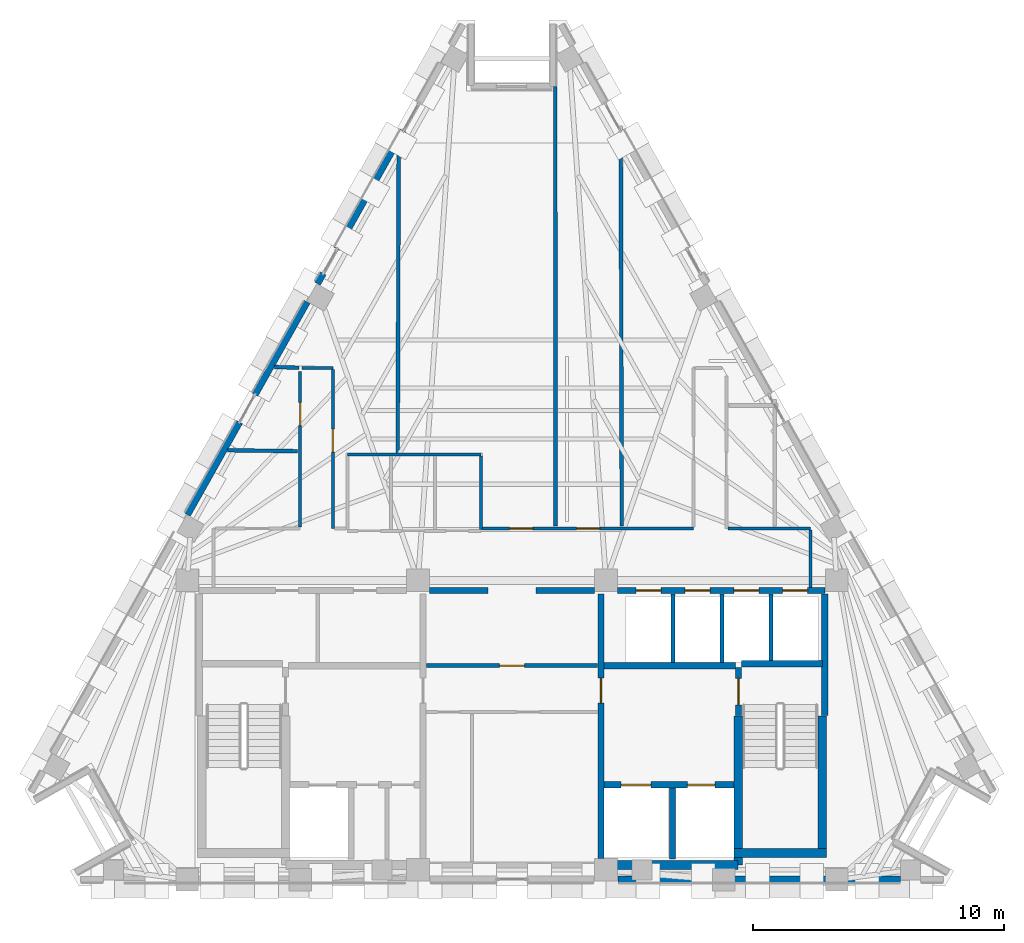
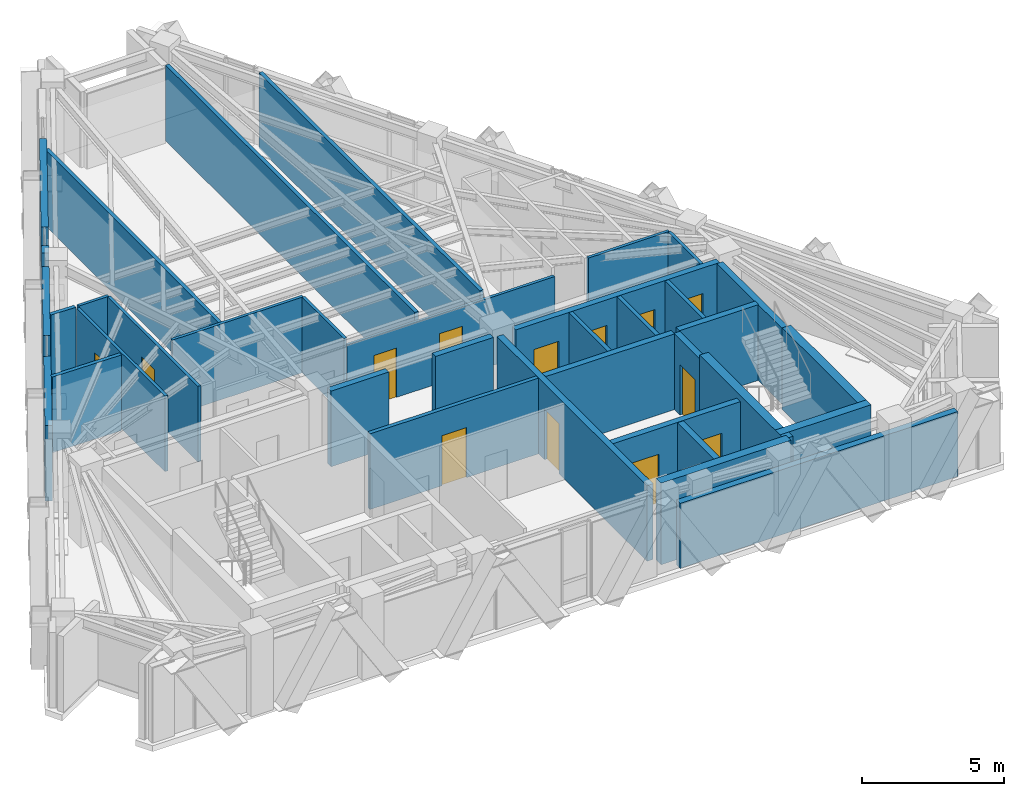
# One storey, part 6 of 9: 36 walls, 13 doors, 13 openings.
"""IFC4 building model written with IfcOpenShell, lengths in metres."""

from ifc_helpers import new_model, si_unit, direction, frame, frame_2d, origin, place, context, subcontext, project, spatial, rectangle, extrude, material, layer, layer_set, type_object, element, fill, save


model = new_model("IFC4")

# Units and contexts
model_context = context("Model", 3, precision=1e-05, world=origin(), true_north=direction((0.0, 1.0)))
body_context = subcontext(model_context, "Body", "Model", "MODEL_VIEW")
ifc_project = project(units=[si_unit("LENGTHUNIT", "METRE"), si_unit("AREAUNIT", "SQUARE_METRE"), si_unit("VOLUMEUNIT", "CUBIC_METRE"), si_unit("PLANEANGLEUNIT", "RADIAN"), si_unit("MASSUNIT", "GRAM", prefix="KILO")], contexts=[model_context])

# Site, building, storey
site_placement = place(None, origin())
site = spatial("IfcSite", under=ifc_project, at=site_placement, CompositionType="ELEMENT")
building_placement = place(site_placement, origin())
building = spatial("IfcBuilding", under=site, at=building_placement, Name="Quenlor Broadcast Tower", CompositionType="ELEMENT")
storey_placement = place(building_placement, frame((0.0, 0.0, 235.89990234375)))
storey = spatial("IfcBuildingStorey", under=building, at=storey_placement, Name="L65", CompositionType="ELEMENT", Elevation=235.89990234375)

# Walls
ifc_material_1 = material(Name="Acoustic Double Stud Gypsum Partition", Category="other")
ifc_layer_1 = layer(ifc_material_1, 0.14990234375)
ifc_layer_set_1 = layer_set([ifc_layer_1], Name="Broadcast Studio Acoustic Partition 150")
wall_type_1 = type_object("IfcWallType", Name="Broadcast Studio Acoustic Partition 150", PredefinedType="PARTITIONING", material=ifc_layer_set_1)
wall_1_placement = place(storey_placement, frame((1.728759765625, 14.89794921875, 0.0), z_axis=(0.0, 0.0, 1.0), x_axis=(0.000334476108, -0.999999944063, 0.0)))
element("IfcWall", 1, at=wall_1_placement, inside=storey, type_object=wall_type_1, Name="L65 Interior Wall PW-DV-01", PredefinedType="PARTITIONING", context=body_context, shape_type="SweptSolid", body=[
    extrude(rectangle(XDim=17.51806640625, YDim=0.14990234375, at=frame_2d((8.759033203125, 0.0))), origin(), (0.0, 0.0, 1.0), 3.25),
])
wall_2_placement = place(storey_placement, frame((-4.559814453125, 0.2919921875, 0.0), z_axis=(0.0, 0.0, 1.0), x_axis=(0.003171231411, 0.999994971633, 0.0)))
element("IfcWall", 2, at=wall_2_placement, inside=storey, type_object=wall_type_1, Name="L65 Interior Wall PW-DV-02", PredefinedType="PARTITIONING", context=body_context, shape_type="SweptSolid", body=[
    extrude(rectangle(XDim=12.24072265625, YDim=0.14990234375, at=frame_2d((6.120361328125, 0.0))), origin(), (0.0, 0.0, 1.0), 3.25),
])
wall_3_placement = place(storey_placement, frame((4.3408203125, 12.85302734375, 0.0), z_axis=(0.0, 0.0, 1.0), x_axis=(0.002508749087, -0.999996853084, 0.0)))
element("IfcWall", 3, at=wall_3_placement, inside=storey, type_object=wall_type_1, Name="L65 Interior Wall PW-DV-03S2", PredefinedType="PARTITIONING", context=body_context, shape_type="SweptSolid", body=[
    extrude(rectangle(XDim=15.47314453125, YDim=0.14990234375, at=frame_2d((7.736572265625, 0.0))), origin(), (0.0, 0.0, 1.0), 3.25),
])
wall_4_placement = place(storey_placement, frame((-8.495849609375, 3.685302734375, 0.0), z_axis=(0.0, 0.0, 1.0), x_axis=(-0.99954299591, 0.030229113907, 0.0)))
element("IfcWall", 4, at=wall_4_placement, inside=storey, type_object=wall_type_1, Name="L65 Interior Wall PW-DV-04", PredefinedType="PARTITIONING", context=body_context, shape_type="SweptSolid", body=[
    extrude(rectangle(XDim=0.9853515625, YDim=0.14990234375, at=frame_2d((0.49267578125, 0.0))), origin(), (0.0, 0.0, 1.0), 3.25),
])
wall_5_placement = place(storey_placement, frame((-8.56005859375, 0.356689453125, 0.0), z_axis=(0.0, 0.0, 1.0), x_axis=(-0.999917251082, 0.012864330116, 0.0)))
element("IfcWall", 5, at=wall_5_placement, inside=storey, type_object=wall_type_1, Name="L65 Interior Wall PW-DV-06", PredefinedType="PARTITIONING", context=body_context, shape_type="SweptSolid", body=[
    extrude(rectangle(XDim=2.789794921875, YDim=0.14990234375, at=frame_2d((1.39501953125, 0.0))), origin(), (0.0, 0.0, 1.0), 3.25),
])
ifc_material_2 = material(Name="Concrete C50/60", Category="concrete")
ifc_layer_2 = layer(ifc_material_2, 0.35009765625)
ifc_layer_set_2 = layer_set([ifc_layer_2], Name="Core Concrete C50/60 Shear Wall 350")
wall_type_2 = type_object("IfcWallType", Name="Core Concrete C50/60 Shear Wall 350", PredefinedType="SHEAR", material=ifc_layer_set_2)
wall_6_placement = place(storey_placement, frame((3.75, -16.14990234375, 0.0), z_axis=(0.0, 0.0, 1.0), x_axis=(1.0, 0.0, 0.0)))
element("IfcWall", 6, at=wall_6_placement, inside=storey, type_object=wall_type_2, Name="L65 Core Shear Wall WS-E1", PredefinedType="SHEAR", context=body_context, shape_type="SweptSolid", body=[
    extrude(rectangle(XDim=5.27490234375, YDim=0.35009765625, at=frame_2d((2.637451171875, 0.0))), origin(), (0.0, 0.0, 1.0), 3.5),
])
wall_7_placement = place(storey_placement, frame((8.85009765625, -15.675048828125, 0.0), z_axis=(0.0, 0.0, 1.0), x_axis=(1.0, 0.0, 0.0)))
element("IfcWall", 7, at=wall_7_placement, inside=storey, type_object=wall_type_2, Name="L65 Core Shear Wall WS-E2", PredefinedType="SHEAR", context=body_context, shape_type="SweptSolid", body=[
    extrude(rectangle(XDim=3.699951171875, YDim=0.35009765625, at=frame_2d((1.85009765625, 0.0))), origin(), (0.0, 0.0, 1.0), 3.5),
])
wall_8_placement = place(storey_placement, frame((12.375, -15.675048828125, 0.0), z_axis=(0.0, 0.0, 1.0), x_axis=(0.0, 1.0, 0.0)))
element("IfcWall", 8, at=wall_8_placement, inside=storey, type_object=wall_type_2, Name="L65 Core Shear Wall WF-E", PredefinedType="SHEAR", context=body_context, shape_type="SweptSolid", body=[
    extrude(rectangle(XDim=5.47509765625, YDim=0.35009765625, at=frame_2d((2.737548828125, 0.0))), origin(), (0.0, 0.0, 1.0), 3.5),
])
wall_9_placement = place(storey_placement, frame((9.02490234375, -16.14990234375, 0.0), z_axis=(0.0, 0.0, 1.0), x_axis=(0.0, 1.0, 0.0)))
element("IfcWall", 9, at=wall_9_placement, inside=storey, type_object=wall_type_2, Name="L65 Core Shear Wall WI-E", PredefinedType="SHEAR", context=body_context, shape_type="SweptSolid", body=[
    extrude(rectangle(XDim=5.949951171875, YDim=0.35009765625, at=frame_2d((2.97509765625, 0.0))), origin(), (0.0, 0.0, 1.0), 3.5),
])

# Wall, opening, door
ifc_material_3 = material(Name="Concrete C40/50", Category="concrete")
ifc_layer_3 = layer(ifc_material_3, 0.25)
ifc_layer_set_3 = layer_set([ifc_layer_3], Name="Fire Rated Concrete C40/50 Core Wall 250")
wall_type_3 = type_object("IfcWallType", Name="Fire Rated Concrete C40/50 Core Wall 250", PredefinedType="PARTITIONING", material=ifc_layer_set_3)
wall_10_placement = place(storey_placement, frame((9.0400390625, -10.179931640625, 0.0), z_axis=(0.0, 0.0, 1.0), x_axis=(0.0, 1.0, 0.0)))
wall_10 = element("IfcWall", 10, at=wall_10_placement, inside=storey, type_object=wall_type_3, Name="L65 Interior Wall CW-ST2-DR", PredefinedType="PARTITIONING", context=body_context, shape_type="SweptSolid", body=[
    extrude(rectangle(XDim=1.89990234375, YDim=0.25, at=frame_2d((0.949951171875, 0.0))), origin(), (0.0, 0.0, 1.0), 3.25),
])
opening_1_placement = place(wall_10_placement, frame((0.419921875, 0.0, 0.0)))
opening_1 = element("IfcOpeningElement", 11, at=opening_1_placement, cuts=wall_10, Name="Opening FD-1", PredefinedType="OPENING", context=body_context, shape_type="SweptSolid", body=[
    extrude(rectangle(XDim=1.050048828125, YDim=2.14990234375, at=frame_2d((0.52490234375, 1.074951171875))), frame((0.0, 0.135009765625, 0.0), z_axis=(0.0, -1.0, 0.0), x_axis=(1.0, 0.0, 0.0)), (0.0, 0.0, 1.0), 0.27001953125),
])
ifc_material_4 = material(Name="Fire Rated Steel Door Leaf", Category="steel")
door_type_1 = type_object("IfcDoorType", Name="Fire Isolated Stair Door 1050x2150", OperationType="NOTDEFINED", PredefinedType="DOOR", material=ifc_material_4)
door_1_placement = place(opening_1_placement, origin())
door_1 = element("IfcDoor", 12, at=door_1_placement, inside=storey, type_object=door_type_1, Name="L65 Door DR-ST2", OperationType="SINGLE_SWING_RIGHT", OverallHeight=2.14990234375, OverallWidth=1.050048828125, PredefinedType="DOOR", context=body_context, shape_type="SweptSolid", body=[
    extrude(rectangle(XDim=1.050048828125, YDim=2.14990234375, at=frame_2d((0.52490234375, 1.074951171875))), frame((0.0, 0.02490234375, 0.0), z_axis=(0.0, -1.0, 0.0), x_axis=(1.0, 0.0, 0.0)), (0.0, 0.0, 1.0), 0.050048828125),
])
fill(opening_1, door_1)

# Walls
wall_11_placement = place(storey_placement, frame((9.159912109375, -8.1201171875, 0.0), z_axis=(0.0, 0.0, 1.0), x_axis=(1.0, 0.0, 0.0)))
element("IfcWall", 13, at=wall_11_placement, inside=storey, type_object=wall_type_3, Name="L65 Interior Wall CW-ST2-N", PredefinedType="PARTITIONING", context=body_context, shape_type="SweptSolid", body=[
    extrude(rectangle(XDim=3.219970703125, YDim=0.25, at=frame_2d((1.60986328125, 0.0))), origin(), (0.0, 0.0, 1.0), 3.25),
])
wall_12_placement = place(storey_placement, frame((12.47998046875, -10.179931640625, 0.0), z_axis=(0.0, 0.0, 1.0), x_axis=(0.0, 1.0, 0.0)))
element("IfcWall", 14, at=wall_12_placement, inside=storey, type_object=wall_type_3, Name="L65 Interior Wall CW-ST2-E2", PredefinedType="PARTITIONING", context=body_context, shape_type="SweptSolid", body=[
    extrude(rectangle(XDim=4.83984375, YDim=0.25, at=frame_2d((2.419921875, 0.0))), origin(), (0.0, 0.0, 1.0), 3.25),
])

# Wall, openings, doors
wall_13_placement = place(storey_placement, frame((3.679931640625, -12.949951171875, 0.0), z_axis=(0.0, 0.0, 1.0), x_axis=(1.0, 0.0, 0.0)))
wall_13 = element("IfcWall", 15, at=wall_13_placement, inside=storey, type_object=wall_type_3, Name="L65 Interior Wall CW-FFE-S", PredefinedType="PARTITIONING", context=body_context, shape_type="SweptSolid", body=[
    extrude(rectangle(XDim=5.16796875, YDim=0.25, at=frame_2d((2.583984375, 0.0))), origin(), (0.0, 0.0, 1.0), 3.25),
])
opening_2_placement = place(wall_13_placement, frame((3.320068359375, 0.0, 0.0)))
opening_2 = element("IfcOpeningElement", 16, at=opening_2_placement, cuts=wall_13, Name="Opening LD-FFL-2", PredefinedType="OPENING", context=body_context, shape_type="SweptSolid", body=[
    extrude(rectangle(XDim=1.10009765625, YDim=2.14990234375, at=frame_2d((0.550048828125, 1.074951171875))), frame((0.0, 0.135009765625, 0.0), z_axis=(0.0, -1.0, 0.0), x_axis=(1.0, 0.0, 0.0)), (0.0, 0.0, 1.0), 0.27001953125),
])
opening_3_placement = place(wall_13_placement, frame((0.669921875, 0.0, 0.0)))
opening_3 = element("IfcOpeningElement", 17, at=opening_3_placement, cuts=wall_13, Name="Opening LD-SVL-1", PredefinedType="OPENING", context=body_context, shape_type="SweptSolid", body=[
    extrude(rectangle(XDim=1.199951171875, YDim=2.14990234375, at=frame_2d((0.60009765625, 1.074951171875))), frame((0.0, 0.135009765625, 0.0), z_axis=(0.0, -1.0, 0.0), x_axis=(1.0, 0.0, 0.0)), (0.0, 0.0, 1.0), 0.27001953125),
])
ifc_material_5 = material(Name="Brushed Stainless Steel", Category="steel")
door_type_2 = type_object("IfcDoorType", Name="Emergency Lift Sliding Landing Door 1100x2150", OperationType="NOTDEFINED", PredefinedType="DOOR", material=ifc_material_5)
door_2_placement = place(opening_2_placement, origin())
door_2 = element("IfcDoor", 18, at=door_2_placement, inside=storey, type_object=door_type_2, Name="L65 Door LD-FFL-2", OperationType="SLIDING_TO_RIGHT", OverallHeight=2.14990234375, OverallWidth=1.10009765625, PredefinedType="DOOR", context=body_context, shape_type="SweptSolid", body=[
    extrude(rectangle(XDim=1.10009765625, YDim=2.14990234375, at=frame_2d((0.550048828125, 1.074951171875))), frame((0.0, 0.02490234375, 0.0), z_axis=(0.0, -1.0, 0.0), x_axis=(1.0, 0.0, 0.0)), (0.0, 0.0, 1.0), 0.050048828125),
])
fill(opening_2, door_2)
ifc_material_6 = material(Name="Brushed Stainless Steel", Category="steel")
door_type_3 = type_object("IfcDoorType", Name="Goods Lift Sliding Landing Door 1200x2150", OperationType="NOTDEFINED", PredefinedType="DOOR", material=ifc_material_6)
door_3_placement = place(opening_3_placement, origin())
door_3 = element("IfcDoor", 19, at=door_3_placement, inside=storey, type_object=door_type_3, Name="L65 Door LD-SVL-1", OperationType="SLIDING_TO_LEFT", OverallHeight=2.14990234375, OverallWidth=1.199951171875, PredefinedType="DOOR", context=body_context, shape_type="SweptSolid", body=[
    extrude(rectangle(XDim=1.199951171875, YDim=2.14990234375, at=frame_2d((0.60009765625, 1.074951171875))), frame((0.0, 0.02490234375, 0.0), z_axis=(0.0, -1.0, 0.0), x_axis=(1.0, 0.0, 0.0)), (0.0, 0.0, 1.0), 0.050048828125),
])
fill(opening_3, door_3)

# Walls
wall_14_placement = place(storey_placement, frame((6.39990234375, -15.919921875, 0.0), z_axis=(0.0, 0.0, 1.0), x_axis=(0.0, 1.0, 0.0)))
element("IfcWall", 20, at=wall_14_placement, inside=storey, type_object=wall_type_3, Name="L65 Interior Wall CW-SV1-E", PredefinedType="PARTITIONING", context=body_context, shape_type="SweptSolid", body=[
    extrude(rectangle(XDim=2.829833984375, YDim=0.25, at=frame_2d((1.4150390625, 0.0))), origin(), (0.0, 0.0, 1.0), 3.25),
])
wall_15_placement = place(storey_placement, frame((3.679931640625, -8.199951171875, 0.0), z_axis=(0.0, 0.0, 1.0), x_axis=(1.0, 0.0, 0.0)))
element("IfcWall", 21, at=wall_15_placement, inside=storey, type_object=wall_type_3, Name="L65 Interior Wall CW-FFE-N", PredefinedType="PARTITIONING", context=body_context, shape_type="SweptSolid", body=[
    extrude(rectangle(XDim=5.239990234375, YDim=0.25, at=frame_2d((2.6201171875, 0.0))), origin(), (0.0, 0.0, 1.0), 3.25),
])

# Wall, opening, door
wall_16_placement = place(storey_placement, frame((3.550048828125, -15.89794921875, 0.0), z_axis=(0.0, 0.0, 1.0), x_axis=(0.0, 1.0, 0.0)))
wall_16 = element("IfcWall", 22, at=wall_16_placement, inside=storey, type_object=wall_type_3, Name="L65 Interior Wall CW-FFE-W", PredefinedType="PARTITIONING", context=body_context, shape_type="SweptSolid", body=[
    extrude(rectangle(XDim=10.557861328125, YDim=0.25, at=frame_2d((5.27880859375, 0.0))), origin(), (0.0, 0.0, 1.0), 3.25),
])
opening_4_placement = place(wall_16_placement, frame((6.197998046875, 0.0, 0.0)))
opening_4 = element("IfcOpeningElement", 23, at=opening_4_placement, cuts=wall_16, Name="Opening FD-2", PredefinedType="OPENING", context=body_context, shape_type="SweptSolid", body=[
    extrude(rectangle(XDim=1.0, YDim=2.14990234375, at=frame_2d((0.5, 1.074951171875))), frame((0.0, 0.135009765625, 0.0), z_axis=(0.0, -1.0, 0.0), x_axis=(1.0, 0.0, 0.0)), (0.0, 0.0, 1.0), 0.27001953125),
])
ifc_material_7 = material(Name="Fire Rated Glazed Steel Door", Category="steel")
door_type_4 = type_object("IfcDoorType", Name="Firefighting Lobby Smoke Door 1000x2150", OperationType="NOTDEFINED", PredefinedType="DOOR", material=ifc_material_7)
door_4_placement = place(opening_4_placement, origin())
door_4 = element("IfcDoor", 24, at=door_4_placement, inside=storey, type_object=door_type_4, Name="L65 Door DR-FFLE", OperationType="SINGLE_SWING_LEFT", OverallHeight=2.14990234375, OverallWidth=1.0, PredefinedType="DOOR", context=body_context, shape_type="SweptSolid", body=[
    extrude(rectangle(XDim=1.0, YDim=2.14990234375, at=frame_2d((0.5, 1.074951171875))), frame((0.0, 0.02490234375, 0.0), z_axis=(0.0, -1.0, 0.0), x_axis=(1.0, 0.0, 0.0)), (0.0, 0.0, 1.0), 0.050048828125),
])
fill(opening_4, door_4)

# Wall, openings, doors
wall_17_placement = place(storey_placement, frame((4.201904296875, -5.199951171875, 0.0), z_axis=(0.0, 0.0, 1.0), x_axis=(1.0, 0.0, 0.0)))
wall_17 = element("IfcWall", 25, at=wall_17_placement, inside=storey, type_object=wall_type_3, Name="L65 Interior Wall CW-N-E", PredefinedType="PARTITIONING", context=body_context, shape_type="SweptSolid", body=[
    extrude(rectangle(XDim=8.278076171875, YDim=0.25, at=frame_2d((4.13916015625, 0.0))), origin(), (0.0, 0.0, 1.0), 3.25),
])
opening_5_placement = place(wall_17_placement, frame((0.748046875, 0.0, 0.0)))
opening_5 = element("IfcOpeningElement", 26, at=opening_5_placement, cuts=wall_17, Name="Opening LD-PL-H1", PredefinedType="OPENING", context=body_context, shape_type="SweptSolid", body=[
    extrude(rectangle(XDim=1.0, YDim=2.14990234375, at=frame_2d((0.5, 1.074951171875))), frame((0.0, 0.135009765625, 0.0), z_axis=(0.0, -1.0, 0.0), x_axis=(1.0, 0.0, 0.0)), (0.0, 0.0, 1.0), 0.27001953125),
])
opening_6_placement = place(wall_17_placement, frame((2.697998046875, 0.0, 0.0)))
opening_6 = element("IfcOpeningElement", 27, at=opening_6_placement, cuts=wall_17, Name="Opening LD-PL-H2", PredefinedType="OPENING", context=body_context, shape_type="SweptSolid", body=[
    extrude(rectangle(XDim=1.0, YDim=2.14990234375, at=frame_2d((0.5, 1.074951171875))), frame((0.0, 0.135009765625, 0.0), z_axis=(0.0, -1.0, 0.0), x_axis=(1.0, 0.0, 0.0)), (0.0, 0.0, 1.0), 0.27001953125),
])
opening_7_placement = place(wall_17_placement, frame((4.64794921875, 0.0, 0.0)))
opening_7 = element("IfcOpeningElement", 28, at=opening_7_placement, cuts=wall_17, Name="Opening LD-PL-H3", PredefinedType="OPENING", context=body_context, shape_type="SweptSolid", body=[
    extrude(rectangle(XDim=1.0, YDim=2.14990234375, at=frame_2d((0.5, 1.074951171875))), frame((0.0, 0.135009765625, 0.0), z_axis=(0.0, -1.0, 0.0), x_axis=(1.0, 0.0, 0.0)), (0.0, 0.0, 1.0), 0.27001953125),
])
opening_8_placement = place(wall_17_placement, frame((6.597900390625, 0.0, 0.0)))
opening_8 = element("IfcOpeningElement", 29, at=opening_8_placement, cuts=wall_17, Name="Opening LD-PL-H4", PredefinedType="OPENING", context=body_context, shape_type="SweptSolid", body=[
    extrude(rectangle(XDim=1.0, YDim=2.14990234375, at=frame_2d((0.5, 1.074951171875))), frame((0.0, 0.135009765625, 0.0), z_axis=(0.0, -1.0, 0.0), x_axis=(1.0, 0.0, 0.0)), (0.0, 0.0, 1.0), 0.27001953125),
])
ifc_material_8 = material(Name="Brushed Stainless Steel", Category="steel")
door_type_5 = type_object("IfcDoorType", Name="Passenger Lift Sliding Landing Door 1000x2150", OperationType="NOTDEFINED", PredefinedType="DOOR", material=ifc_material_8)
door_5_placement = place(opening_5_placement, origin())
door_5 = element("IfcDoor", 30, at=door_5_placement, inside=storey, type_object=door_type_5, Name="L65 Door LD-PL-H1", OperationType="SLIDING_TO_RIGHT", OverallHeight=2.14990234375, OverallWidth=1.0, PredefinedType="DOOR", context=body_context, shape_type="SweptSolid", body=[
    extrude(rectangle(XDim=1.0, YDim=2.14990234375, at=frame_2d((0.5, 1.074951171875))), frame((0.0, 0.02490234375, 0.0), z_axis=(0.0, -1.0, 0.0), x_axis=(1.0, 0.0, 0.0)), (0.0, 0.0, 1.0), 0.050048828125),
])
fill(opening_5, door_5)
door_6_placement = place(opening_6_placement, origin())
door_6 = element("IfcDoor", 31, at=door_6_placement, inside=storey, type_object=door_type_5, Name="L65 Door LD-PL-H2", OperationType="SLIDING_TO_RIGHT", OverallHeight=2.14990234375, OverallWidth=1.0, PredefinedType="DOOR", context=body_context, shape_type="SweptSolid", body=[
    extrude(rectangle(XDim=1.0, YDim=2.14990234375, at=frame_2d((0.5, 1.074951171875))), frame((0.0, 0.02490234375, 0.0), z_axis=(0.0, -1.0, 0.0), x_axis=(1.0, 0.0, 0.0)), (0.0, 0.0, 1.0), 0.050048828125),
])
fill(opening_6, door_6)
door_7_placement = place(opening_7_placement, origin())
door_7 = element("IfcDoor", 32, at=door_7_placement, inside=storey, type_object=door_type_5, Name="L65 Door LD-PL-H3", OperationType="SLIDING_TO_RIGHT", OverallHeight=2.14990234375, OverallWidth=1.0, PredefinedType="DOOR", context=body_context, shape_type="SweptSolid", body=[
    extrude(rectangle(XDim=1.0, YDim=2.14990234375, at=frame_2d((0.5, 1.074951171875))), frame((0.0, 0.02490234375, 0.0), z_axis=(0.0, -1.0, 0.0), x_axis=(1.0, 0.0, 0.0)), (0.0, 0.0, 1.0), 0.050048828125),
])
fill(opening_7, door_7)
door_8_placement = place(opening_8_placement, origin())
door_8 = element("IfcDoor", 33, at=door_8_placement, inside=storey, type_object=door_type_5, Name="L65 Door LD-PL-H4", OperationType="SLIDING_TO_RIGHT", OverallHeight=2.14990234375, OverallWidth=1.0, PredefinedType="DOOR", context=body_context, shape_type="SweptSolid", body=[
    extrude(rectangle(XDim=1.0, YDim=2.14990234375, at=frame_2d((0.5, 1.074951171875))), frame((0.0, 0.02490234375, 0.0), z_axis=(0.0, -1.0, 0.0), x_axis=(1.0, 0.0, 0.0)), (0.0, 0.0, 1.0), 0.050048828125),
])
fill(opening_8, door_8)

# Walls
for number, where, z_axis, x_axis, name in (
    (34, (-3.298095703125, -5.199951171875, 0.0), (0.0, 0.0, 1.0), (1.0, 0.0, 0.0), "L65 Interior Wall CW-N-M1"),
    (35, (0.949951171875, -5.199951171875, 0.0), (0.0, 0.0, 1.0), (1.0, 0.0, 0.0), "L65 Interior Wall CW-N-M2"),
):
    element("IfcWall", number, at=place(storey_placement, frame(where, z_axis=z_axis, x_axis=x_axis)), inside=storey, type_object=wall_type_3, Name=name, PredefinedType="PARTITIONING", context=body_context, shape_type="SweptSolid", body=[
        extrude(rectangle(XDim=2.34814453125, YDim=0.25, at=frame_2d((1.174072265625, 0.0))), origin(), (0.0, 0.0, 1.0), 3.25),
    ])
ifc_material_9 = material(Name="Gypsum Fireboard Partition", Category="other")
ifc_layer_4 = layer(ifc_material_9, 0.159912109375)
ifc_layer_set_4 = layer_set([ifc_layer_4], Name="Fire Rated Shaft and Corridor Partition 160")
wall_type_4 = type_object("IfcWallType", Name="Fire Rated Shaft and Corridor Partition 160", PredefinedType="PARTITIONING", material=ifc_layer_set_4)
for number, where, z_axis, x_axis, name in (
    (36, (6.425048828125, -8.072998046875, 0.0), (0.0, 0.0, 1.0), (0.0, 1.0, 0.0), "L65 Interior Wall CW-PLH-D1"),
    (37, (8.375, -8.072998046875, 0.0), (0.0, 0.0, 1.0), (0.0, 1.0, 0.0), "L65 Interior Wall CW-PLH-D2"),
):
    element("IfcWall", number, at=place(storey_placement, frame(where, z_axis=z_axis, x_axis=x_axis)), inside=storey, type_object=wall_type_4, Name=name, PredefinedType="PARTITIONING", context=body_context, shape_type="SweptSolid", body=[
        extrude(rectangle(XDim=2.73291015625, YDim=0.159912109375, at=frame_2d((1.366455078125, 0.0))), origin(), (0.0, 0.0, 1.0), 3.25),
    ])
wall_18_placement = place(storey_placement, frame((10.324951171875, -7.992919921875, 0.0), z_axis=(0.0, 0.0, 1.0), x_axis=(0.0, 1.0, 0.0)))
element("IfcWall", 38, at=wall_18_placement, inside=storey, type_object=wall_type_4, Name="L65 Interior Wall CW-PLH-D3", PredefinedType="PARTITIONING", context=body_context, shape_type="SweptSolid", body=[
    extrude(rectangle(XDim=2.65283203125, YDim=0.159912109375, at=frame_2d((1.326416015625, 0.0))), origin(), (0.0, 0.0, 1.0), 3.25),
])

# Wall, opening, door
wall_19_placement = place(storey_placement, frame((-3.419921875, -8.199951171875, 0.0), z_axis=(0.0, 0.0, 1.0), x_axis=(1.0, 0.0, 0.0)))
wall_19 = element("IfcWall", 39, at=wall_19_placement, inside=storey, type_object=wall_type_4, Name="L65 Interior Wall CW-M-BACK", PredefinedType="PARTITIONING", context=body_context, shape_type="SweptSolid", body=[
    extrude(rectangle(XDim=6.83984375, YDim=0.159912109375, at=frame_2d((3.419921875, 0.0))), origin(), (0.0, 0.0, 1.0), 3.25),
])
opening_9_placement = place(wall_19_placement, frame((2.919921875, 0.0, 0.0)))
opening_9 = element("IfcOpeningElement", 40, at=opening_9_placement, cuts=wall_19, Name="Opening FD-2", PredefinedType="OPENING", context=body_context, shape_type="SweptSolid", body=[
    extrude(rectangle(XDim=1.0, YDim=2.14990234375, at=frame_2d((0.5, 1.074951171875))), frame((0.0, 0.08984375, 0.0), z_axis=(0.0, -1.0, 0.0), x_axis=(1.0, 0.0, 0.0)), (0.0, 0.0, 1.0), 0.179931640625),
])
door_9_placement = place(opening_9_placement, origin())
door_9 = element("IfcDoor", 41, at=door_9_placement, inside=storey, type_object=door_type_4, Name="L65 Door DR-CCRP", OperationType="SINGLE_SWING_LEFT", OverallHeight=2.14990234375, OverallWidth=1.0, PredefinedType="DOOR", context=body_context, shape_type="SweptSolid", body=[
    extrude(rectangle(XDim=1.0, YDim=2.14990234375, at=frame_2d((0.5, 1.074951171875))), frame((0.0, 0.02490234375, 0.0), z_axis=(0.0, -1.0, 0.0), x_axis=(1.0, 0.0, 0.0)), (0.0, 0.0, 1.0), 0.050048828125),
])
fill(opening_9, door_9)

# Walls
ifc_material_10 = material(Name="Gypsum Plasterboard Partition", Category="other")
ifc_layer_5 = layer(ifc_material_10, 0.1201171875)
ifc_layer_set_5 = layer_set([ifc_layer_5], Name="Standard Office Partition 120")
wall_type_5 = type_object("IfcWallType", Name="Standard Office Partition 120", PredefinedType="PARTITIONING", material=ifc_layer_set_5)
wall_20_placement = place(storey_placement, frame((-6.56005859375, 0.22998046875, 0.0), z_axis=(0.0, 0.0, 1.0), x_axis=(1.0, 0.0, 0.0)))
element("IfcWall", 42, at=wall_20_placement, inside=storey, type_object=wall_type_5, Name="L65 Interior Wall PW-WC-N", PredefinedType="PARTITIONING", context=body_context, shape_type="SweptSolid", body=[
    extrude(rectangle(XDim=5.320068359375, YDim=0.1201171875, at=frame_2d((2.66015625, 0.0))), origin(), (0.0, 0.0, 1.0), 3.25),
])
wall_21_placement = place(storey_placement, frame((-1.239990234375, -2.758056640625, 0.0), z_axis=(0.0, 0.0, 1.0), x_axis=(0.0, 1.0, 0.0)))
element("IfcWall", 43, at=wall_21_placement, inside=storey, type_object=wall_type_5, Name="L65 Interior Wall PW-WC-E", PredefinedType="PARTITIONING", context=body_context, shape_type="SweptSolid", body=[
    extrude(rectangle(XDim=2.926025390625, YDim=0.1201171875, at=frame_2d((1.462890625, 0.0))), origin(), (0.0, 0.0, 1.0), 3.25),
])

# Wall, opening, door
wall_22_placement = place(storey_placement, frame((-8.449951171875, -2.66796875, 0.0), z_axis=(0.0, 0.0, 1.0), x_axis=(0.0, 1.0, 0.0)))
wall_22 = element("IfcWall", 44, at=wall_22_placement, inside=storey, type_object=wall_type_5, Name="L65 Interior Wall PW-CR-03", PredefinedType="PARTITIONING", context=body_context, shape_type="SweptSolid", body=[
    extrude(rectangle(XDim=6.21044921875, YDim=0.1201171875, at=frame_2d((3.105224609375, 0.0))), origin(), (0.0, 0.0, 1.0), 3.25),
])
opening_10_placement = place(wall_22_placement, frame((4.047119140625, 0.0, 0.0)))
opening_10 = element("IfcOpeningElement", 45, at=opening_10_placement, cuts=wall_22, Name="Opening ID-1", PredefinedType="OPENING", context=body_context, shape_type="SweptSolid", body=[
    extrude(rectangle(XDim=0.919921875, YDim=2.1201171875, at=frame_2d((0.4599609375, 1.06005859375))), frame((0.0, 0.070068359375, 0.0), z_axis=(0.0, -1.0, 0.0), x_axis=(1.0, 0.0, 0.0)), (0.0, 0.0, 1.0), 0.14013671875),
])
ifc_material_11 = material(Name="Solid Core Timber Oak", Category="wood")
door_type_6 = type_object("IfcDoorType", Name="Single Leaf Timber Office Door 920x2120", OperationType="NOTDEFINED", PredefinedType="DOOR", material=ifc_material_11)
door_10_placement = place(opening_10_placement, origin())
door_10 = element("IfcDoor", 46, at=door_10_placement, inside=storey, type_object=door_type_6, Name="L65 Door DR-RM05", OperationType="SINGLE_SWING_LEFT", OverallHeight=2.1201171875, OverallWidth=0.919921875, PredefinedType="DOOR", context=body_context, shape_type="SweptSolid", body=[
    extrude(rectangle(XDim=0.919921875, YDim=2.1201171875, at=frame_2d((0.4599609375, 1.06005859375))), frame((0.0, 0.02490234375, 0.0), z_axis=(0.0, -1.0, 0.0), x_axis=(1.0, 0.0, 0.0)), (0.0, 0.0, 1.0), 0.050048828125),
])
fill(opening_10, door_10)

# Wall
wall_23_placement = place(storey_placement, frame((-8.372802734375, 3.679931640625, 0.0), z_axis=(0.0, 0.0, 1.0), x_axis=(1.0, 0.0, 0.0)))
element("IfcWall", 47, at=wall_23_placement, inside=storey, type_object=wall_type_5, Name="L65 Interior Wall PW-CR-04", PredefinedType="PARTITIONING", context=body_context, shape_type="SweptSolid", body=[
    extrude(rectangle(XDim=1.222900390625, YDim=0.1201171875, at=frame_2d((0.611328125, 0.0))), origin(), (0.0, 0.0, 1.0), 3.25),
])

# Wall, opening, door
wall_24_placement = place(storey_placement, frame((-7.14990234375, 3.617919921875, 0.0), z_axis=(0.0, 0.0, 1.0), x_axis=(0.0, -1.0, 0.0)))
wall_24 = element("IfcWall", 48, at=wall_24_placement, inside=storey, type_object=wall_type_5, Name="L65 Interior Wall PW-CR-05", PredefinedType="PARTITIONING", context=body_context, shape_type="SweptSolid", body=[
    extrude(rectangle(XDim=6.347900390625, YDim=0.1201171875, at=frame_2d((3.173828125, 0.0))), origin(), (0.0, 0.0, 1.0), 3.25),
])
opening_11_placement = place(wall_24_placement, frame((2.383056640625, 0.0, 0.0)))
opening_11 = element("IfcOpeningElement", 49, at=opening_11_placement, cuts=wall_24, Name="Opening ID-1", PredefinedType="OPENING", context=body_context, shape_type="SweptSolid", body=[
    extrude(rectangle(XDim=0.919921875, YDim=2.1201171875, at=frame_2d((0.4599609375, 1.06005859375))), frame((0.0, 0.070068359375, 0.0), z_axis=(0.0, -1.0, 0.0), x_axis=(1.0, 0.0, 0.0)), (0.0, 0.0, 1.0), 0.14013671875),
])
door_11_placement = place(opening_11_placement, origin())
door_11 = element("IfcDoor", 50, at=door_11_placement, inside=storey, type_object=door_type_6, Name="L65 Door DR-RM03", OperationType="SINGLE_SWING_LEFT", OverallHeight=2.1201171875, OverallWidth=0.919921875, PredefinedType="DOOR", context=body_context, shape_type="SweptSolid", body=[
    extrude(rectangle(XDim=0.919921875, YDim=2.1201171875, at=frame_2d((0.4599609375, 1.06005859375))), frame((0.0, 0.02490234375, 0.0), z_axis=(0.0, -1.0, 0.0), x_axis=(1.0, 0.0, 0.0)), (0.0, 0.0, 1.0), 0.050048828125),
])
fill(opening_11, door_11)

# Wall, openings, doors
wall_25_placement = place(storey_placement, frame((-1.177978515625, -2.72998046875, 0.0), z_axis=(0.0, 0.0, 1.0), x_axis=(1.0, 0.0, 0.0)))
wall_25 = element("IfcWall", 51, at=wall_25_placement, inside=storey, type_object=wall_type_5, Name="L65 Interior Wall PW-CR-08", PredefinedType="PARTITIONING", context=body_context, shape_type="SweptSolid", body=[
    extrude(rectangle(XDim=8.427978515625, YDim=0.1201171875, at=frame_2d((4.2138671875, 0.0))), origin(), (0.0, 0.0, 1.0), 2.94287109375),
])
opening_12_placement = place(wall_25_placement, frame((1.080078125, 0.0, 0.0)))
opening_12 = element("IfcOpeningElement", 52, at=opening_12_placement, cuts=wall_25, Name="Opening ID-1", PredefinedType="OPENING", context=body_context, shape_type="SweptSolid", body=[
    extrude(rectangle(XDim=0.919921875, YDim=2.1201171875, at=frame_2d((0.4599609375, 1.06005859375))), frame((0.0, 0.070068359375, 0.0), z_axis=(0.0, -1.0, 0.0), x_axis=(1.0, 0.0, 0.0)), (0.0, 0.0, 1.0), 0.14013671875),
])
opening_13_placement = place(wall_25_placement, frame((3.7548828125, 0.0, 0.0)))
opening_13 = element("IfcOpeningElement", 53, at=opening_13_placement, cuts=wall_25, Name="Opening ID-1", PredefinedType="OPENING", context=body_context, shape_type="SweptSolid", body=[
    extrude(rectangle(XDim=0.919921875, YDim=2.1201171875, at=frame_2d((0.4599609375, 1.06005859375))), frame((0.0, 0.070068359375, 0.0), z_axis=(0.0, -1.0, 0.0), x_axis=(1.0, 0.0, 0.0)), (0.0, 0.0, 1.0), 0.14013671875),
])
door_12_placement = place(opening_12_placement, origin())
door_12 = element("IfcDoor", 54, at=door_12_placement, inside=storey, type_object=door_type_6, Name="L65 Door DR-RM01", OperationType="SINGLE_SWING_LEFT", OverallHeight=2.1201171875, OverallWidth=0.919921875, PredefinedType="DOOR", context=body_context, shape_type="SweptSolid", body=[
    extrude(rectangle(XDim=0.919921875, YDim=2.1201171875, at=frame_2d((0.4599609375, 1.06005859375))), frame((0.0, 0.02490234375, 0.0), z_axis=(0.0, -1.0, 0.0), x_axis=(1.0, 0.0, 0.0)), (0.0, 0.0, 1.0), 0.050048828125),
])
fill(opening_12, door_12)
door_13_placement = place(opening_13_placement, origin())
door_13 = element("IfcDoor", 55, at=door_13_placement, inside=storey, type_object=door_type_6, Name="L65 Door DR-RM02", OperationType="SINGLE_SWING_RIGHT", OverallHeight=2.1201171875, OverallWidth=0.919921875, PredefinedType="DOOR", context=body_context, shape_type="SweptSolid", body=[
    extrude(rectangle(XDim=0.919921875, YDim=2.1201171875, at=frame_2d((0.4599609375, 1.06005859375))), frame((0.0, 0.02490234375, 0.0), z_axis=(0.0, -1.0, 0.0), x_axis=(1.0, 0.0, 0.0)), (0.0, 0.0, 1.0), 0.050048828125),
])
fill(opening_13, door_13)

# Walls
wall_26_placement = place(storey_placement, frame((8.612060546875, -2.72998046875, 0.0), z_axis=(0.0, 0.0, 1.0), x_axis=(1.0, 0.0, 0.0)))
element("IfcWall", 56, at=wall_26_placement, inside=storey, type_object=wall_type_5, Name="L65 Interior Wall PW-CR-13", PredefinedType="PARTITIONING", context=body_context, shape_type="SweptSolid", body=[
    extrude(rectangle(XDim=3.287841796875, YDim=0.1201171875, at=frame_2d((1.64404296875, 0.0))), origin(), (0.0, 0.0, 1.0), 3.25),
])
wall_27_placement = place(storey_placement, frame((11.89990234375, -2.7919921875, 0.0), z_axis=(0.0, 0.0, 1.0), x_axis=(0.0, -1.0, 0.0)))
element("IfcWall", 57, at=wall_27_placement, inside=storey, type_object=wall_type_5, Name="L65 Interior Wall PW-CR-14", PredefinedType="PARTITIONING", context=body_context, shape_type="SweptSolid", body=[
    extrude(rectangle(XDim=2.281005859375, YDim=0.1201171875, at=frame_2d((1.140625, 0.0))), origin(), (0.0, 0.0, 1.0), 3.25),
])
ifc_material_12 = material(Name="Precast concrete C40/50", Category="concrete")
ifc_layer_6 = layer(ifc_material_12, 0.260009765625)
ifc_layer_set_6 = layer_set([ifc_layer_6], Name="Terracotta Precast Concrete C40/50 Upper Wall 260")
wall_type_6 = type_object("IfcWallType", Name="Terracotta Precast Concrete C40/50 Upper Wall 260", PredefinedType="STANDARD", material=ifc_layer_set_6)
wall_28_placement = place(storey_placement, frame((15.49267578125, -16.72509765625, 0.0), z_axis=(0.0, 0.0, 1.0), x_axis=(-1.0, 0.0, 0.0)))
element("IfcWall", 58, at=wall_28_placement, inside=storey, type_object=wall_type_6, Name="L65 Exterior Wall L65-EW-SA", PredefinedType="STANDARD", context=body_context, shape_type="SweptSolid", body=[
    extrude(rectangle(XDim=11.272705078125, YDim=0.260009765625, at=frame_2d((5.63623046875, 0.0))), origin(), (0.0, 0.0, 1.0), 2.789794921875),
])
wall_29_placement = place(storey_placement, frame((-7.760009765625, 7.043701171875, 0.0), z_axis=(0.0, 0.0, 1.0), x_axis=(0.490412424957, 0.871490478116, 0.0)))
element("IfcWall", 59, at=wall_29_placement, inside=storey, type_object=wall_type_6, Name="L65 Exterior Wall L65-NWC-SP1", PredefinedType="STANDARD", context=body_context, shape_type="SweptSolid", body=[
    extrude(rectangle(XDim=0.4599609375, YDim=0.260009765625, at=frame_2d((0.22998046875, 0.0))), origin(), (0.0, 0.0, 1.0), 3.25),
])
wall_30_placement = place(storey_placement, frame((-6.981689453125, 8.42724609375, 0.0), z_axis=(0.0, 0.0, 1.0), x_axis=(0.490265525523, 0.871573126297, 0.0)))
element("IfcWall", 60, at=wall_30_placement, inside=storey, type_object=wall_type_6, Name="L65 Exterior Wall L65-NWC-SP2", PredefinedType="STANDARD", context=body_context, shape_type="SweptSolid", body=[
    extrude(rectangle(XDim=5.408935546875, YDim=0.260009765625, at=frame_2d((2.70458984375, 0.0))), origin(), (0.0, 0.0, 1.0), 3.25),
])
wall_31_placement = place(storey_placement, frame((-12.9462890625, -2.1767578125, 0.0), z_axis=(0.0, 0.0, 1.0), x_axis=(0.490244825075, 0.871584770109, 0.0)))
element("IfcWall", 61, at=wall_31_placement, inside=storey, type_object=wall_type_6, Name="L65 Exterior Wall L65-NW-SP1", PredefinedType="STANDARD", context=body_context, shape_type="SweptSolid", body=[
    extrude(rectangle(XDim=4.237060546875, YDim=0.260009765625, at=frame_2d((2.11865234375, 0.0))), origin(), (0.0, 0.0, 1.0), 3.25),
])
wall_32_placement = place(storey_placement, frame((-10.25146484375, 2.614501953125, 0.0), z_axis=(0.0, 0.0, 1.0), x_axis=(0.490269447258, 0.871570920284, 0.0)))
element("IfcWall", 62, at=wall_32_placement, inside=storey, type_object=wall_type_6, Name="L65 Exterior Wall L65-NW-SP2", PredefinedType="STANDARD", context=body_context, shape_type="SweptSolid", body=[
    extrude(rectangle(XDim=4.23681640625, YDim=0.260009765625, at=frame_2d((2.118408203125, 0.0))), origin(), (0.0, 0.0, 1.0), 3.25),
])

save(model, "model.ifc")
